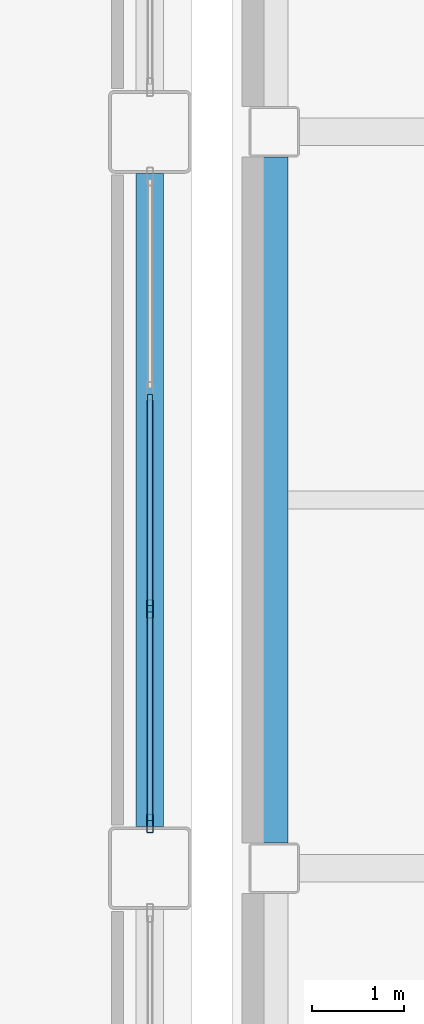
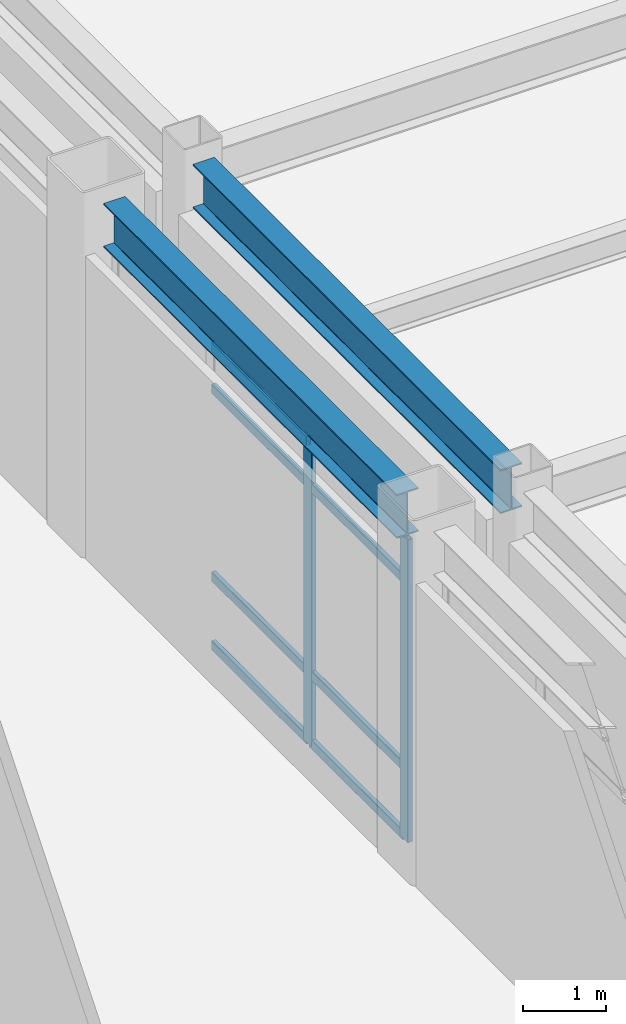
# One storey, part 64 of 165: 10 members, 2 beams, 1 element without a shape of its own.
"""IFC4 building model written with IfcOpenShell, lengths in metres."""

from ifc_helpers import new_model, si_unit, direction, frame, origin, origin_2d, place, context, subcontext, project, spatial, hollow_rectangle, i_section, extrude, material, layer, layer_set, material_profile, profile_set, type_object, element, aggregate, save


model = new_model("IFC4")

# Units and contexts
model_context = context("Model", 3, precision=1e-05, world=origin(), true_north=direction((0.0, 1.0)))
body_context = subcontext(model_context, "Body", "Model", "MODEL_VIEW")
ifc_project = project(units=[si_unit("LENGTHUNIT", "METRE"), si_unit("AREAUNIT", "SQUARE_METRE"), si_unit("VOLUMEUNIT", "CUBIC_METRE"), si_unit("PLANEANGLEUNIT", "RADIAN"), si_unit("MASSUNIT", "GRAM", prefix="KILO")], contexts=[model_context])

# Site, building, storey
site_placement = place(None, origin())
site = spatial("IfcSite", under=ifc_project, at=site_placement, CompositionType="ELEMENT")
building_placement = place(site_placement, origin())
building = spatial("IfcBuilding", under=site, at=building_placement, Name="Kazehara Bluff Congress Hotel", CompositionType="ELEMENT")
storey_placement = place(building_placement, origin())
storey = spatial("IfcBuildingStorey", under=building, at=storey_placement, Name="L00", CompositionType="ELEMENT", Elevation=0.0)

# Curtain wall, members
ifc_material_1 = material(Name="Anodised aluminium", Category="aluminium")
ifc_layer = layer(ifc_material_1, 0.159912109375)
ifc_layer_set = layer_set([ifc_layer], Name="Anodised aluminium")
curtain_wall_type = type_object("IfcCurtainWallType", Name="TP-CW-17", PredefinedType="NOTDEFINED", material=ifc_layer_set)
curtain_wall_placement = place(storey_placement, origin())
curtain_wall = element("IfcCurtainWall", 1, at=curtain_wall_placement, inside=storey, type_object=curtain_wall_type, Name="L00 curtain wall CW-17 CW-V1-L00-X5835-8935", PredefinedType="NOTDEFINED")
ifc_material_2 = material(Name="Anodised aluminium", Category="aluminium")
ifc_material_profile_1 = material_profile(ifc_material_2, hollow_rectangle(XDim=0.070068359375, YDim=0.199951171875, WallThickness=0.0048828125, InnerFilletRadius=0.0048828125, OuterFilletRadius=0.010009765625, at=origin_2d()))
ifc_profile_set_1 = profile_set([ifc_material_profile_1], Name="Anodised aluminium")
member_type_1 = type_object("IfcMemberType", Name="TP-CWM-03", PredefinedType="MULLION", material=ifc_profile_set_1)
member_1_placement = place(storey_placement, frame((58.35009765625, 89.385009765625, 0.0), z_axis=(0.0, 0.0, 1.0), x_axis=(-1.0, 0.0, 0.0)))
member_1 = element("IfcMember", 2, at=member_1_placement, type_object=member_type_1, Name="CW-17 mullion 1", PredefinedType="MULLION", context=body_context, shape_type="SweptSolid", body=[
    extrude(hollow_rectangle(XDim=0.070068359375, YDim=0.199951171875, WallThickness=0.0048828125, InnerFilletRadius=0.0048828125, OuterFilletRadius=0.010009765625, at=origin_2d()), origin(), (0.0, 0.0, 1.0), 4.47509765625),
])
member_2_placement = place(storey_placement, frame((58.35009765625, 91.716552734375, 0.0), z_axis=(0.0, 0.0, 1.0), x_axis=(-1.0, 0.0, 0.0)))
member_2 = element("IfcMember", 3, at=member_2_placement, type_object=member_type_1, Name="CW-17 mullion 2", PredefinedType="MULLION", context=body_context, shape_type="SweptSolid", body=[
    extrude(hollow_rectangle(XDim=0.070068359375, YDim=0.199951171875, WallThickness=0.0048828125, InnerFilletRadius=0.0048828125, OuterFilletRadius=0.010009765625, at=origin_2d()), origin(), (0.0, 0.0, 1.0), 4.47509765625),
])
ifc_material_3 = material(Name="Anodised aluminium", Category="aluminium")
ifc_material_profile_2 = material_profile(ifc_material_3, hollow_rectangle(XDim=0.06494140625, YDim=0.139892578125, WallThickness=0.00390625, InnerFilletRadius=0.00390625, OuterFilletRadius=0.008056640625, at=origin_2d()))
ifc_profile_set_2 = profile_set([ifc_material_profile_2], Name="Anodised aluminium")
member_type_2 = type_object("IfcMemberType", Name="TP-CWT-02", PredefinedType="USERDEFINED", material=ifc_profile_set_2)
member_3_placement = place(storey_placement, frame((58.35009765625, 89.419921875, 0.032470703125), z_axis=(0.0, 1.0, 0.0), x_axis=(-1.0, 0.0, 0.0)))
member_3 = element("IfcMember", 4, at=member_3_placement, type_object=member_type_2, Name="CW-17 transom 1.1", ObjectType="TRANSOM", PredefinedType="USERDEFINED", context=body_context, shape_type="SweptSolid", body=[
    extrude(hollow_rectangle(XDim=0.06494140625, YDim=0.139892578125, WallThickness=0.00390625, InnerFilletRadius=0.00390625, OuterFilletRadius=0.008056640625, at=origin_2d()), origin(), (0.0, 0.0, 1.0), 2.26171875),
])
member_4_placement = place(storey_placement, frame((58.35009765625, 89.419921875, 1.050048828125), z_axis=(0.0, 1.0, 0.0), x_axis=(-1.0, 0.0, 0.0)))
member_4 = element("IfcMember", 5, at=member_4_placement, type_object=member_type_2, Name="CW-17 transom 1.2", ObjectType="TRANSOM", PredefinedType="USERDEFINED", context=body_context, shape_type="SweptSolid", body=[
    extrude(hollow_rectangle(XDim=0.06494140625, YDim=0.139892578125, WallThickness=0.00390625, InnerFilletRadius=0.00390625, OuterFilletRadius=0.008056640625, at=origin_2d()), origin(), (0.0, 0.0, 1.0), 2.26171875),
])
member_5_placement = place(storey_placement, frame((58.35009765625, 89.419921875, 3.824951171875), z_axis=(0.0, 1.0, 0.0), x_axis=(-1.0, 0.0, 0.0)))
member_5 = element("IfcMember", 6, at=member_5_placement, type_object=member_type_2, Name="CW-17 transom 1.3", ObjectType="TRANSOM", PredefinedType="USERDEFINED", context=body_context, shape_type="SweptSolid", body=[
    extrude(hollow_rectangle(XDim=0.06494140625, YDim=0.139892578125, WallThickness=0.00390625, InnerFilletRadius=0.00390625, OuterFilletRadius=0.008056640625, at=origin_2d()), origin(), (0.0, 0.0, 1.0), 2.26171875),
])
member_6_placement = place(storey_placement, frame((58.35009765625, 89.419921875, 4.4423828125), z_axis=(0.0, 1.0, 0.0), x_axis=(-1.0, 0.0, 0.0)))
member_6 = element("IfcMember", 7, at=member_6_placement, type_object=member_type_2, Name="CW-17 transom 1.4", ObjectType="TRANSOM", PredefinedType="USERDEFINED", context=body_context, shape_type="SweptSolid", body=[
    extrude(hollow_rectangle(XDim=0.06494140625, YDim=0.139892578125, WallThickness=0.00390625, InnerFilletRadius=0.00390625, OuterFilletRadius=0.008056640625, at=origin_2d()), origin(), (0.0, 0.0, 1.0), 2.26171875),
])
member_7_placement = place(storey_placement, frame((58.35009765625, 91.751708984375, 0.032470703125), z_axis=(0.0, 1.0, 0.0), x_axis=(-1.0, 0.0, 0.0)))
member_7 = element("IfcMember", 8, at=member_7_placement, type_object=member_type_2, Name="CW-17 transom 2.1", ObjectType="TRANSOM", PredefinedType="USERDEFINED", context=body_context, shape_type="SweptSolid", body=[
    extrude(hollow_rectangle(XDim=0.06494140625, YDim=0.139892578125, WallThickness=0.00390625, InnerFilletRadius=0.00390625, OuterFilletRadius=0.008056640625, at=origin_2d()), origin(), (0.0, 0.0, 1.0), 2.296630859375),
])
member_8_placement = place(storey_placement, frame((58.35009765625, 91.751708984375, 1.050048828125), z_axis=(0.0, 1.0, 0.0), x_axis=(-1.0, 0.0, 0.0)))
member_8 = element("IfcMember", 9, at=member_8_placement, type_object=member_type_2, Name="CW-17 transom 2.2", ObjectType="TRANSOM", PredefinedType="USERDEFINED", context=body_context, shape_type="SweptSolid", body=[
    extrude(hollow_rectangle(XDim=0.06494140625, YDim=0.139892578125, WallThickness=0.00390625, InnerFilletRadius=0.00390625, OuterFilletRadius=0.008056640625, at=origin_2d()), origin(), (0.0, 0.0, 1.0), 2.296630859375),
])
member_9_placement = place(storey_placement, frame((58.35009765625, 91.751708984375, 3.824951171875), z_axis=(0.0, 1.0, 0.0), x_axis=(-1.0, 0.0, 0.0)))
member_9 = element("IfcMember", 10, at=member_9_placement, type_object=member_type_2, Name="CW-17 transom 2.3", ObjectType="TRANSOM", PredefinedType="USERDEFINED", context=body_context, shape_type="SweptSolid", body=[
    extrude(hollow_rectangle(XDim=0.06494140625, YDim=0.139892578125, WallThickness=0.00390625, InnerFilletRadius=0.00390625, OuterFilletRadius=0.008056640625, at=origin_2d()), origin(), (0.0, 0.0, 1.0), 2.296630859375),
])
member_10_placement = place(storey_placement, frame((58.35009765625, 91.751708984375, 4.4423828125), z_axis=(0.0, 1.0, 0.0), x_axis=(-1.0, 0.0, 0.0)))
member_10 = element("IfcMember", 11, at=member_10_placement, type_object=member_type_2, Name="CW-17 transom 2.4", ObjectType="TRANSOM", PredefinedType="USERDEFINED", context=body_context, shape_type="SweptSolid", body=[
    extrude(hollow_rectangle(XDim=0.06494140625, YDim=0.139892578125, WallThickness=0.00390625, InnerFilletRadius=0.00390625, OuterFilletRadius=0.008056640625, at=origin_2d()), origin(), (0.0, 0.0, 1.0), 2.296630859375),
])
aggregate(curtain_wall, [member_1, member_2, member_3, member_4, member_5, member_6, member_7, member_8, member_9, member_10])

# Beams
ifc_material_4 = material(Name="Steel SN490B", Category="steel")
ifc_material_profile_3 = material_profile(ifc_material_4, i_section(OverallWidth=0.300048828125, OverallDepth=0.64990234375, WebThickness=0.011962890625, FlangeThickness=0.02001953125, FilletRadius=0.012939453125, at=origin_2d()))
ifc_profile_set_3 = profile_set([ifc_material_profile_3], Name="Steel SN490B")
beam_type = type_object("IfcBeamType", Name="TP-G-03", PredefinedType="BEAM", material=ifc_profile_set_3)
beam_1_placement = place(storey_placement, frame((58.35009765625, 89.35009765625, 4.824951171875), z_axis=(0.0, 1.0, 0.0), x_axis=(-1.0, 0.0, 0.0)))
element("IfcBeam", 12, at=beam_1_placement, inside=storey, type_object=beam_type, Name="L00 girder G-03 22", PredefinedType="BEAM", context=body_context, shape_type="SweptSolid", body=[
    extrude(i_section(OverallWidth=0.300048828125, OverallDepth=0.64990234375, WebThickness=0.011962890625, FlangeThickness=0.02001953125, FilletRadius=0.012939453125, at=origin_2d()), origin(), (0.0, 0.0, 1.0), 7.099853515625),
])
beam_2_placement = place(storey_placement, frame((59.699951171875, 89.175048828125, 4.824951171875), z_axis=(0.0, 1.0, 0.0), x_axis=(-1.0, 0.0, 0.0)))
element("IfcBeam", 13, at=beam_2_placement, inside=storey, type_object=beam_type, Name="L00 girder G-03 100", PredefinedType="BEAM", context=body_context, shape_type="SweptSolid", body=[
    extrude(i_section(OverallWidth=0.300048828125, OverallDepth=0.64990234375, WebThickness=0.011962890625, FlangeThickness=0.02001953125, FilletRadius=0.012939453125, at=origin_2d()), origin(), (0.0, 0.0, 1.0), 7.449951171875),
])

save(model, "model.ifc")
